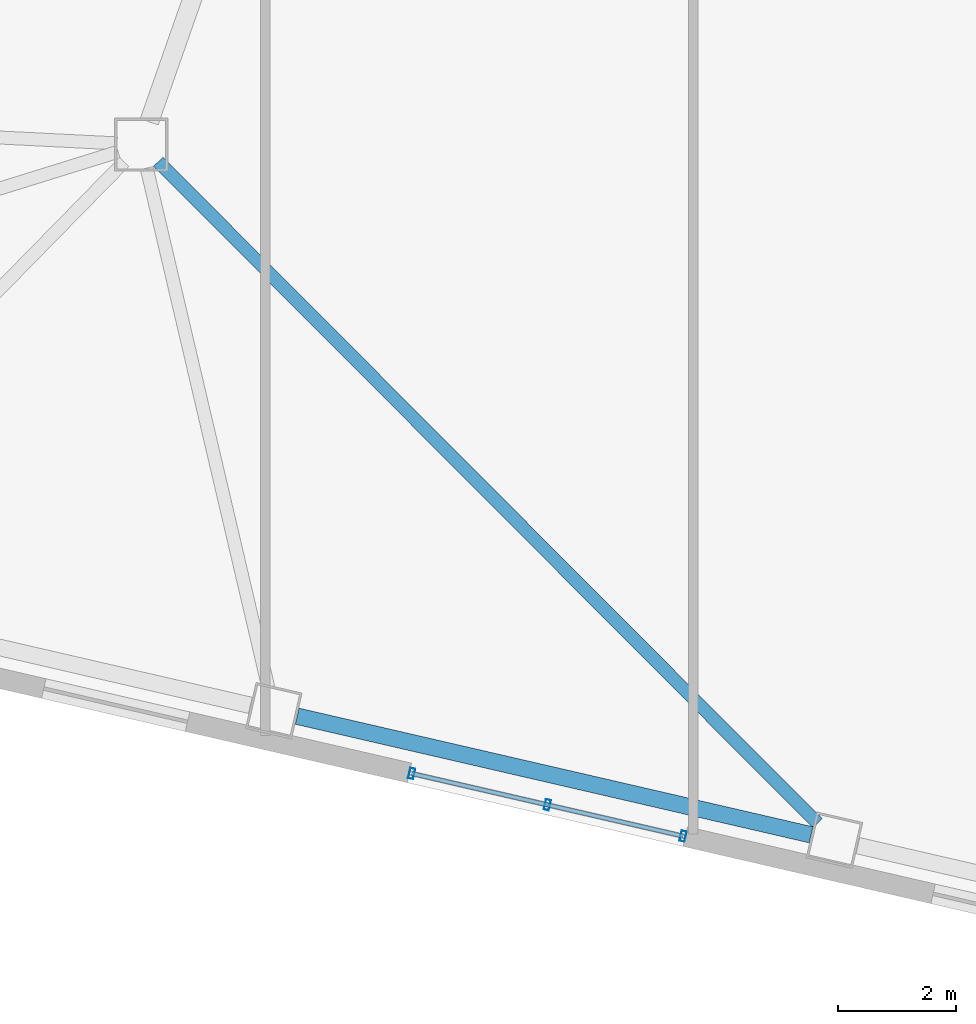
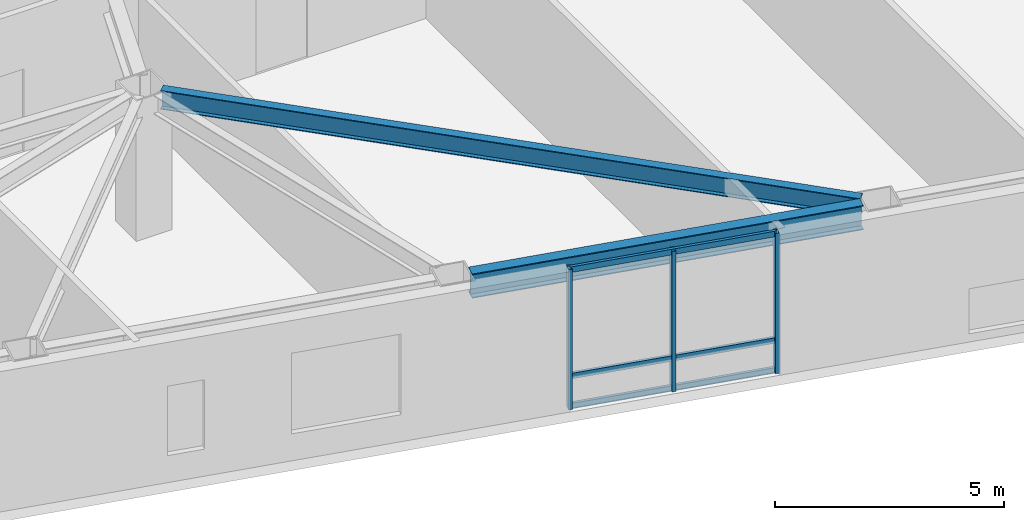
# One storey, part 4 of 20: 6 members, 2 beams, 1 element without a shape of its own.
"""IFC4 building model written with IfcOpenShell, lengths in metres."""

from ifc_helpers import new_model, si_unit, direction, frame, origin, origin_2d, place, context, subcontext, project, spatial, hollow_rectangle, i_section, extrude, material, layer, layer_set, material_profile, profile_set, type_object, element, aggregate, save


model = new_model("IFC4")

# Units and contexts
model_context = context("Model", 3, precision=1e-05, world=origin(), true_north=direction((0.0, 1.0)))
body_context = subcontext(model_context, "Body", "Model", "MODEL_VIEW")
ifc_project = project(units=[si_unit("LENGTHUNIT", "METRE"), si_unit("AREAUNIT", "SQUARE_METRE"), si_unit("VOLUMEUNIT", "CUBIC_METRE"), si_unit("PLANEANGLEUNIT", "RADIAN"), si_unit("MASSUNIT", "GRAM", prefix="KILO")], contexts=[model_context])

# Site, building, storey
site_placement = place(None, origin())
site = spatial("IfcSite", under=ifc_project, at=site_placement, CompositionType="ELEMENT")
building_placement = place(site_placement, origin())
building = spatial("IfcBuilding", under=site, at=building_placement, Name="Tavrogorsk Clinical Tower", CompositionType="ELEMENT")
storey_placement = place(building_placement, frame((0.0, 0.0, 67.39990234375)))
storey = spatial("IfcBuildingStorey", under=building, at=storey_placement, Name="L14", CompositionType="ELEMENT", Elevation=67.39990234375)

# Curtain wall, members
ifc_material_1 = material(Name="Anodised aluminium and triple IGU glazing", Category="aluminium")
ifc_layer = layer(ifc_material_1, 0.179931640625)
ifc_layer_set = layer_set([ifc_layer], Name="Anodised aluminium and triple IGU glazing")
curtain_wall_type = type_object("IfcCurtainWallType", Name="CW3_SouthSlot", PredefinedType="NOTDEFINED", material=ifc_layer_set)
curtain_wall_placement = place(storey_placement, origin())
curtain_wall = element("IfcCurtainWall", 1, at=curtain_wall_placement, inside=storey, type_object=curtain_wall_type, Name="L14 Curtain Wall CW-L14-S-SLOT-1", PredefinedType="NOTDEFINED")
ifc_material_2 = material(Name="Anodised aluminium alloy AW-6060", Category="aluminium")
ifc_material_profile_1 = material_profile(ifc_material_2, hollow_rectangle(XDim=0.090087890625, YDim=0.179931640625, WallThickness=0.00634765625, at=origin_2d()), Name="RHS-180x90x6.3")
ifc_profile_set_1 = profile_set([ifc_material_profile_1], Name="Anodised aluminium alloy AW-6060")
member_type_1 = type_object("IfcMemberType", Name="CwMullion_180x90", PredefinedType="MULLION", material=ifc_profile_set_1)
member_1_placement = place(storey_placement, frame((-19.917724609375, -23.8544921875, 0.0), z_axis=(0.0, 0.0, 1.0), x_axis=(0.974370046851, -0.224951132027, 0.0)))
member_1 = element("IfcMember", 2, at=member_1_placement, type_object=member_type_1, Name="CW-L14-S-SLOT-1 Mullion 1", PredefinedType="MULLION", context=body_context, shape_type="SweptSolid", body=[
    extrude(hollow_rectangle(XDim=0.090087890625, YDim=0.179931640625, WallThickness=0.00634765625, at=origin_2d()), origin(), (0.0, 0.0, 1.0), 3.739990234375),
])
member_2_placement = place(storey_placement, frame((-17.619384765625, -24.38525390625, 0.0), z_axis=(0.0, 0.0, 1.0), x_axis=(0.974370046851, -0.224951132027, 0.0)))
member_2 = element("IfcMember", 3, at=member_2_placement, type_object=member_type_1, Name="CW-L14-S-SLOT-1 Mullion 2", PredefinedType="MULLION", context=body_context, shape_type="SweptSolid", body=[
    extrude(hollow_rectangle(XDim=0.090087890625, YDim=0.179931640625, WallThickness=0.00634765625, at=origin_2d()), origin(), (0.0, 0.0, 1.0), 3.739990234375),
])
member_3_placement = place(storey_placement, frame((-15.32080078125, -24.916015625, 0.0), z_axis=(0.0, 0.0, 1.0), x_axis=(0.974370046851, -0.224951132027, 0.0)))
member_3 = element("IfcMember", 4, at=member_3_placement, type_object=member_type_1, Name="CW-L14-S-SLOT-1 Mullion 3", PredefinedType="MULLION", context=body_context, shape_type="SweptSolid", body=[
    extrude(hollow_rectangle(XDim=0.090087890625, YDim=0.179931640625, WallThickness=0.00634765625, at=origin_2d()), origin(), (0.0, 0.0, 1.0), 3.739990234375),
])
ifc_material_3 = material(Name="Anodised aluminium alloy AW-6060", Category="aluminium")
ifc_material_profile_2 = material_profile(ifc_material_3, hollow_rectangle(XDim=0.074951171875, YDim=0.14990234375, WallThickness=0.0048828125, at=origin_2d()), Name="RHS-150x75x5")
ifc_profile_set_2 = profile_set([ifc_material_profile_2], Name="Anodised aluminium alloy AW-6060")
member_type_2 = type_object("IfcMemberType", Name="CwTransom_150x75", PredefinedType="USERDEFINED", material=ifc_profile_set_2)
member_4_placement = place(storey_placement, frame((-19.917724609375, -23.8544921875, 0.050048828125), z_axis=(0.974358915979, -0.224999339672, 0.0), x_axis=(0.224999339672, 0.974358915979, 0.0)))
member_4 = element("IfcMember", 5, at=member_4_placement, type_object=member_type_2, Name="CW-L14-S-SLOT-1 Transom 1", ObjectType="TRANSOM", PredefinedType="USERDEFINED", context=body_context, shape_type="SweptSolid", body=[
    extrude(hollow_rectangle(XDim=0.074951171875, YDim=0.14990234375, WallThickness=0.0048828125, at=origin_2d()), origin(), (0.0, 0.0, 1.0), 4.718017578125),
])
member_5_placement = place(storey_placement, frame((-19.917724609375, -23.8544921875, 0.85009765625), z_axis=(0.974358915979, -0.224999339672, 0.0), x_axis=(0.224999339672, 0.974358915979, 0.0)))
member_5 = element("IfcMember", 6, at=member_5_placement, type_object=member_type_2, Name="CW-L14-S-SLOT-1 Transom 2", ObjectType="TRANSOM", PredefinedType="USERDEFINED", context=body_context, shape_type="SweptSolid", body=[
    extrude(hollow_rectangle(XDim=0.074951171875, YDim=0.14990234375, WallThickness=0.0048828125, at=origin_2d()), origin(), (0.0, 0.0, 1.0), 4.718017578125),
])
member_6_placement = place(storey_placement, frame((-19.917724609375, -23.8544921875, 3.690185546875), z_axis=(0.974358915979, -0.224999339672, 0.0), x_axis=(0.224999339672, 0.974358915979, 0.0)))
member_6 = element("IfcMember", 7, at=member_6_placement, type_object=member_type_2, Name="CW-L14-S-SLOT-1 Transom 3", ObjectType="TRANSOM", PredefinedType="USERDEFINED", context=body_context, shape_type="SweptSolid", body=[
    extrude(hollow_rectangle(XDim=0.074951171875, YDim=0.14990234375, WallThickness=0.0048828125, at=origin_2d()), origin(), (0.0, 0.0, 1.0), 4.718017578125),
])
aggregate(curtain_wall, [member_1, member_2, member_3, member_4, member_5, member_6])

# Beams
ifc_material_4 = material(Name="Structural steel S355", Category="steel")
ifc_material_profile_3 = material_profile(ifc_material_4, i_section(OverallWidth=0.219970703125, OverallDepth=0.5, WebThickness=0.012939453125, FlangeThickness=0.02001953125, at=origin_2d()), Name="B-500x220x13x20")
ifc_profile_set_3 = profile_set([ifc_material_profile_3], Name="Structural steel S355")
beam_type_1 = type_object("IfcBeamType", Name="FloorBeam_B500", PredefinedType="BEAM", material=ifc_profile_set_3)
beam_1_placement = place(storey_placement, frame((-24.210693359375, -13.490478515625, 3.489990234375), z_axis=(0.705909757155, -0.70830178226, 0.0), x_axis=(0.70830178226, 0.705909757155, 0.0)))
element("IfcBeam", 8, at=beam_1_placement, inside=storey, type_object=beam_type_1, Name="L14 Radial Floor Beam S4", PredefinedType="BEAM", context=body_context, shape_type="SweptSolid", body=[
    extrude(i_section(OverallWidth=0.219970703125, OverallDepth=0.5, WebThickness=0.012939453125, FlangeThickness=0.02001953125, at=origin_2d()), origin(), (0.0, 0.0, 1.0), 15.820068359375),
])
ifc_material_5 = material(Name="Structural steel S390", Category="steel")
ifc_material_profile_4 = material_profile(ifc_material_5, i_section(OverallWidth=0.280029296875, OverallDepth=0.64990234375, WebThickness=0.01611328125, FlangeThickness=0.02490234375, at=origin_2d()), Name="B-650x280x16x25")
ifc_profile_set_4 = profile_set([ifc_material_profile_4], Name="Structural steel S390")
beam_type_2 = type_object("IfcBeamType", Name="SpandrelBeam_B650", PredefinedType="SPANDREL", material=ifc_profile_set_4)
beam_2_placement = place(storey_placement, frame((-21.8564453125, -22.8837890625, 3.4150390625), z_axis=(0.974372766602, -0.224939351168, 0.0), x_axis=(0.224939351168, 0.974372766602, 0.0)))
element("IfcBeam", 9, at=beam_2_placement, inside=storey, type_object=beam_type_2, Name="L14 Perimeter Spandrel S3-S4", PredefinedType="SPANDREL", context=body_context, shape_type="SweptSolid", body=[
    extrude(i_section(OverallWidth=0.280029296875, OverallDepth=0.64990234375, WebThickness=0.01611328125, FlangeThickness=0.02490234375, at=origin_2d()), origin(), (0.0, 0.0, 1.0), 8.9326171875),
])

save(model, "model.ifc")
